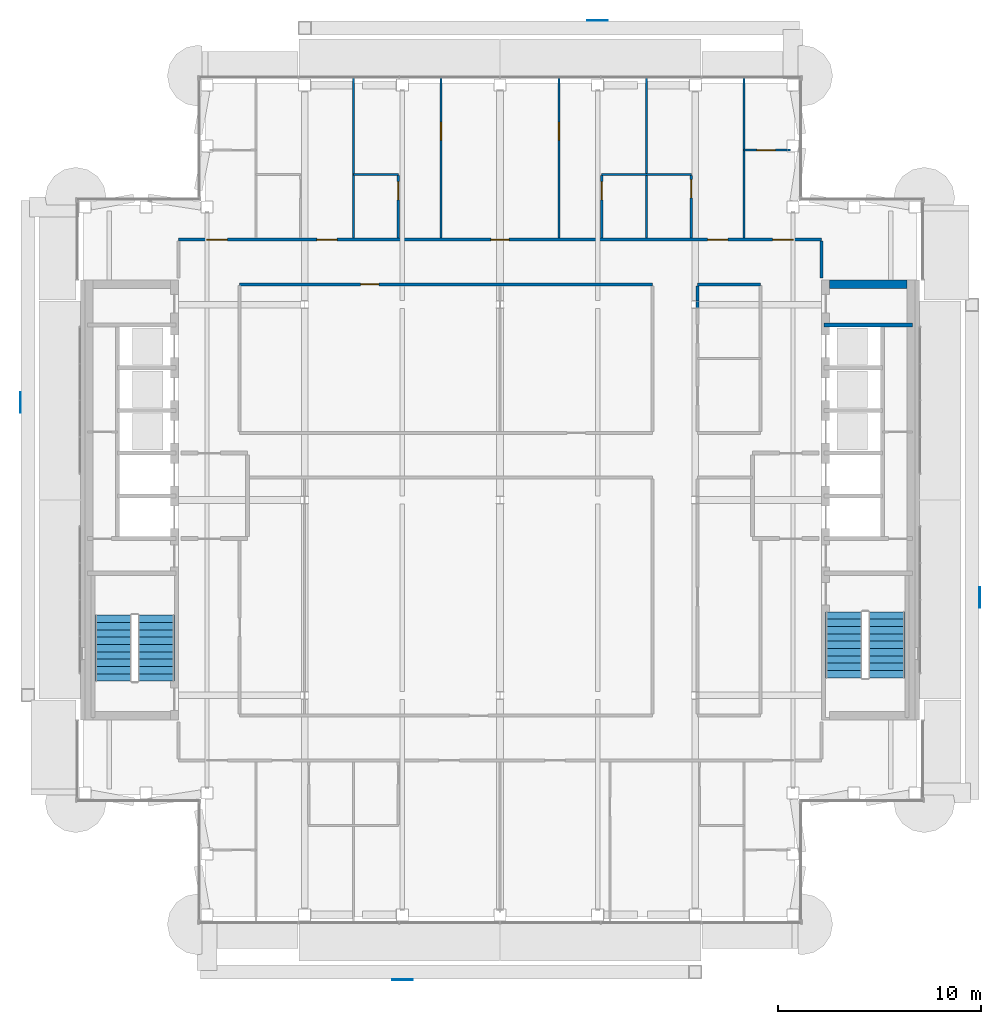
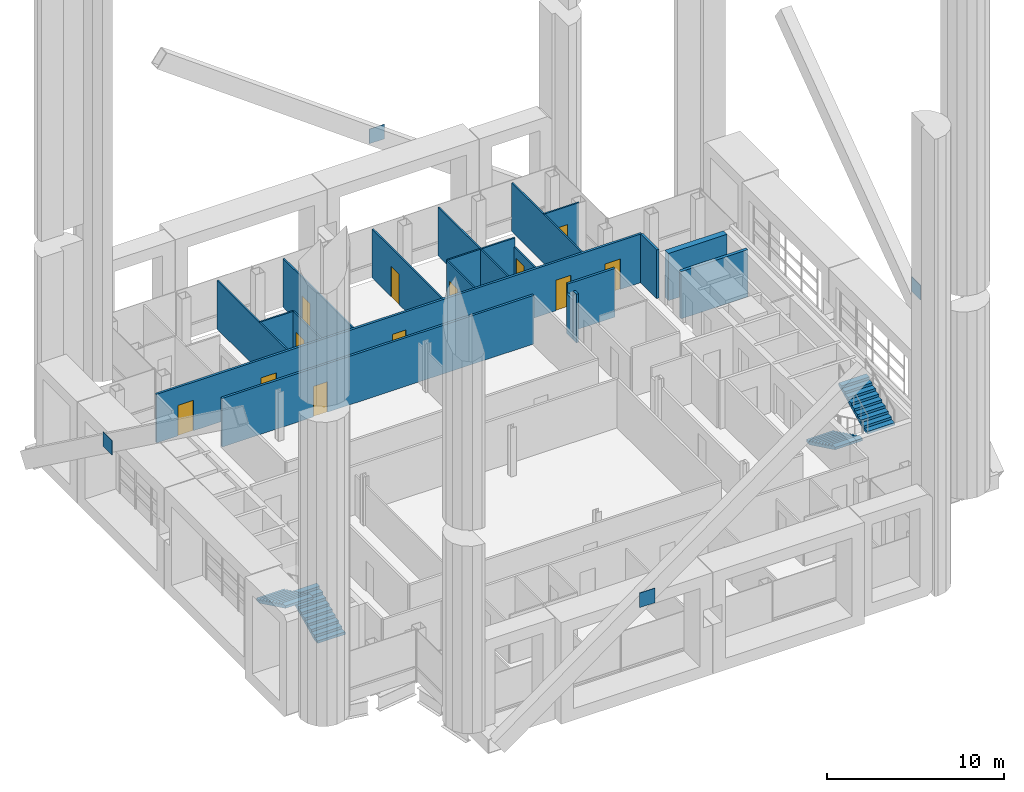
# One storey, part 16 of 29: 20 walls, 12 doors, 4 discrete accessories, 4 stair flights, 12 openings, 2 elements without a shape of their own.
"""IFC4 building model written with IfcOpenShell, lengths in metres."""

from ifc_helpers import new_model, si_unit, direction, frame, frame_2d, origin, origin_2d, place, context, subcontext, project, spatial, polyline, rectangle, outline, extrude, material, layer, layer_set, type_object, element, fill, aggregate, save


model = new_model("IFC4")

# Units and contexts
model_context = context("Model", 3, precision=1e-05, world=origin(), true_north=direction((0.0, 1.0)))
body_context = subcontext(model_context, "Body", "Model", "MODEL_VIEW")
ifc_project = project(units=[si_unit("LENGTHUNIT", "METRE"), si_unit("AREAUNIT", "SQUARE_METRE"), si_unit("VOLUMEUNIT", "CUBIC_METRE"), si_unit("PLANEANGLEUNIT", "RADIAN"), si_unit("MASSUNIT", "GRAM", prefix="KILO")], contexts=[model_context])

# Site, building, storey
site_placement = place(None, origin())
site = spatial("IfcSite", under=ifc_project, at=site_placement, CompositionType="ELEMENT")
building_placement = place(site_placement, origin())
building = spatial("IfcBuilding", under=site, at=building_placement, Name="Cobrizo Arcos Hotel Tower", CompositionType="ELEMENT")
storey_placement = place(building_placement, frame((0.0, 0.0, 241.0)))
storey = spatial("IfcBuildingStorey", under=building, at=storey_placement, Name="L63", CompositionType="ELEMENT", Elevation=241.0)

# Wall, opening, door
ifc_material_1 = material(Name="Gypsum board partition")
ifc_layer_1 = layer(ifc_material_1, 0.14990234375)
ifc_layer_set_1 = layer_set([ifc_layer_1], Name="Corridor wall EI 60 150")
wall_type_1 = type_object("IfcWallType", Name="Corridor wall EI 60 150", PredefinedType="PARTITIONING", material=ifc_layer_set_1)
wall_1_placement = place(storey_placement, frame((-12.800048828125, 10.60009765625, 0.0), z_axis=(0.0, 0.0, 1.0), x_axis=(1.0, 0.0, 0.0)))
wall_1 = element("IfcWall", 1, at=wall_1_placement, inside=storey, type_object=wall_type_1, Name="Partition 033", PredefinedType="PARTITIONING", context=body_context, shape_type="SweptSolid", body=[
    extrude(rectangle(XDim=20.300048828125, YDim=0.14990234375, at=frame_2d((10.14990234375, 0.0))), origin(), (0.0, 0.0, 1.0), 3.35009765625),
])
opening_1_placement = place(wall_1_placement, frame((5.949951171875, 0.0, 0.0)))
opening_1 = element("IfcOpeningElement", 2, at=opening_1_placement, cuts=wall_1, Name="Opening RD-14", PredefinedType="OPENING", context=body_context, shape_type="SweptSolid", body=[
    extrude(rectangle(XDim=0.89990234375, YDim=2.10009765625, at=frame_2d((0.449951171875, 1.050048828125))), frame((0.0, 0.0869140625, 0.0), z_axis=(0.0, -1.0, 0.0), x_axis=(1.0, 0.0, 0.0)), (0.0, 0.0, 1.0), 0.173828125),
])
ifc_material_2 = material(Name="Timber door leaf", Category="wood")
door_type_1 = type_object("IfcDoorType", Name="Room door FD30 900x2100", OperationType="SINGLE_SWING_LEFT", PredefinedType="DOOR", material=ifc_material_2)
door_1_placement = place(opening_1_placement, origin())
door_1 = element("IfcDoor", 3, at=door_1_placement, inside=storey, type_object=door_type_1, Name="Door RD-14", OperationType="SINGLE_SWING_LEFT", OverallHeight=2.10009765625, OverallWidth=0.89990234375, PredefinedType="DOOR", context=body_context, shape_type="SweptSolid", body=[
    extrude(rectangle(XDim=0.89990234375, YDim=2.10009765625, at=frame_2d((0.449951171875, 1.050048828125))), frame((0.0, 0.02490234375, 0.0), z_axis=(0.0, -1.0, 0.0), x_axis=(1.0, 0.0, 0.0)), (0.0, 0.0, 1.0), 0.050048828125),
])
fill(opening_1, door_1)

# Wall
wall_2_placement = place(storey_placement, frame((9.699951171875, 10.60009765625, 0.0), z_axis=(0.0, 0.0, 1.0), x_axis=(1.0, 0.0, 0.0)))
element("IfcWall", 4, at=wall_2_placement, inside=storey, type_object=wall_type_1, Name="Partition 034", PredefinedType="PARTITIONING", context=body_context, shape_type="SweptSolid", body=[
    extrude(rectangle(XDim=3.10009765625, YDim=0.14990234375, at=frame_2d((1.550048828125, 0.0))), origin(), (0.0, 0.0, 1.0), 3.35009765625),
])

# Wall, openings, doors
wall_3_placement = place(storey_placement, frame((-15.800048828125, 12.800048828125, 0.0), z_axis=(0.0, 0.0, 1.0), x_axis=(1.0, 0.0, 0.0)))
wall_3 = element("IfcWall", 5, at=wall_3_placement, inside=storey, type_object=wall_type_1, Name="Partition 035", PredefinedType="PARTITIONING", context=body_context, shape_type="SweptSolid", body=[
    extrude(rectangle(XDim=31.60009765625, YDim=0.14990234375, at=frame_2d((15.800048828125, 0.0))), origin(), (0.0, 0.0, 1.0), 3.35009765625),
])
opening_2_placement = place(wall_3_placement, frame((6.800048828125, 0.0, 0.0)))
opening_2 = element("IfcOpeningElement", 6, at=opening_2_placement, cuts=wall_3, Name="Opening GD-01", PredefinedType="OPENING", context=body_context, shape_type="SweptSolid", body=[
    extrude(rectangle(XDim=1.0, YDim=2.10009765625, at=frame_2d((0.5, 1.050048828125))), frame((0.0, 0.0869140625, 0.0), z_axis=(0.0, -1.0, 0.0), x_axis=(1.0, 0.0, 0.0)), (0.0, 0.0, 1.0), 0.173828125),
])
opening_3_placement = place(wall_3_placement, frame((15.35009765625, 0.0, 0.0)))
opening_3 = element("IfcOpeningElement", 7, at=opening_3_placement, cuts=wall_3, Name="Opening RD-07", PredefinedType="OPENING", context=body_context, shape_type="SweptSolid", body=[
    extrude(rectangle(XDim=0.89990234375, YDim=2.10009765625, at=frame_2d((0.449951171875, 1.050048828125))), frame((0.0, 0.0869140625, 0.0), z_axis=(0.0, -1.0, 0.0), x_axis=(1.0, 0.0, 0.0)), (0.0, 0.0, 1.0), 0.173828125),
])
opening_4_placement = place(wall_3_placement, frame((26.0, 0.0, 0.0)))
opening_4 = element("IfcOpeningElement", 8, at=opening_4_placement, cuts=wall_3, Name="Opening GD-02", PredefinedType="OPENING", context=body_context, shape_type="SweptSolid", body=[
    extrude(rectangle(XDim=1.0, YDim=2.10009765625, at=frame_2d((0.5, 1.050048828125))), frame((0.0, 0.0869140625, 0.0), z_axis=(0.0, -1.0, 0.0), x_axis=(1.0, 0.0, 0.0)), (0.0, 0.0, 1.0), 0.173828125),
])
opening_5_placement = place(wall_3_placement, frame((1.39990234375, 0.0, 0.0)))
opening_5 = element("IfcOpeningElement", 9, at=opening_5_placement, cuts=wall_3, Name="Opening GD-07", PredefinedType="OPENING", context=body_context, shape_type="SweptSolid", body=[
    extrude(rectangle(XDim=1.0, YDim=2.10009765625, at=frame_2d((0.5, 1.050048828125))), frame((0.0, 0.0869140625, 0.0), z_axis=(0.0, -1.0, 0.0), x_axis=(1.0, 0.0, 0.0)), (0.0, 0.0, 1.0), 0.173828125),
])
opening_6_placement = place(wall_3_placement, frame((29.199951171875, 0.0, 0.0)))
opening_6 = element("IfcOpeningElement", 10, at=opening_6_placement, cuts=wall_3, Name="Opening GD-09", PredefinedType="OPENING", context=body_context, shape_type="SweptSolid", body=[
    extrude(rectangle(XDim=1.0, YDim=2.10009765625, at=frame_2d((0.5, 1.050048828125))), frame((0.0, 0.0869140625, 0.0), z_axis=(0.0, -1.0, 0.0), x_axis=(1.0, 0.0, 0.0)), (0.0, 0.0, 1.0), 0.173828125),
])
door_type_2 = type_object("IfcDoorType", Name="Guest room door FD30S 1000x2100", OperationType="SINGLE_SWING_LEFT", PredefinedType="DOOR", material=ifc_material_2)
door_2_placement = place(opening_2_placement, origin())
door_2 = element("IfcDoor", 11, at=door_2_placement, inside=storey, type_object=door_type_2, Name="Door GD-01", OperationType="SINGLE_SWING_LEFT", OverallHeight=2.10009765625, OverallWidth=1.0, PredefinedType="DOOR", context=body_context, shape_type="SweptSolid", body=[
    extrude(rectangle(XDim=1.0, YDim=2.10009765625, at=frame_2d((0.5, 1.050048828125))), frame((0.0, 0.02490234375, 0.0), z_axis=(0.0, -1.0, 0.0), x_axis=(1.0, 0.0, 0.0)), (0.0, 0.0, 1.0), 0.050048828125),
])
fill(opening_2, door_2)
door_3_placement = place(opening_4_placement, origin())
door_3 = element("IfcDoor", 12, at=door_3_placement, inside=storey, type_object=door_type_2, Name="Door GD-02", OperationType="SINGLE_SWING_LEFT", OverallHeight=2.10009765625, OverallWidth=1.0, PredefinedType="DOOR", context=body_context, shape_type="SweptSolid", body=[
    extrude(rectangle(XDim=1.0, YDim=2.10009765625, at=frame_2d((0.5, 1.050048828125))), frame((0.0, 0.02490234375, 0.0), z_axis=(0.0, -1.0, 0.0), x_axis=(1.0, 0.0, 0.0)), (0.0, 0.0, 1.0), 0.050048828125),
])
fill(opening_4, door_3)
door_4_placement = place(opening_5_placement, origin())
door_4 = element("IfcDoor", 13, at=door_4_placement, inside=storey, type_object=door_type_2, Name="Door GD-07", OperationType="SINGLE_SWING_RIGHT", OverallHeight=2.10009765625, OverallWidth=1.0, PredefinedType="DOOR", context=body_context, shape_type="SweptSolid", body=[
    extrude(rectangle(XDim=1.0, YDim=2.10009765625, at=frame_2d((0.5, 1.050048828125))), frame((0.0, 0.02490234375, 0.0), z_axis=(0.0, -1.0, 0.0), x_axis=(1.0, 0.0, 0.0)), (0.0, 0.0, 1.0), 0.050048828125),
])
fill(opening_5, door_4)
door_5_placement = place(opening_6_placement, origin())
door_5 = element("IfcDoor", 14, at=door_5_placement, inside=storey, type_object=door_type_2, Name="Door GD-09", OperationType="SINGLE_SWING_LEFT", OverallHeight=2.10009765625, OverallWidth=1.0, PredefinedType="DOOR", context=body_context, shape_type="SweptSolid", body=[
    extrude(rectangle(XDim=1.0, YDim=2.10009765625, at=frame_2d((0.5, 1.050048828125))), frame((0.0, 0.02490234375, 0.0), z_axis=(0.0, -1.0, 0.0), x_axis=(1.0, 0.0, 0.0)), (0.0, 0.0, 1.0), 0.050048828125),
])
fill(opening_6, door_5)
door_6_placement = place(opening_3_placement, origin())
door_6 = element("IfcDoor", 15, at=door_6_placement, inside=storey, type_object=door_type_1, Name="Door RD-07", OperationType="SINGLE_SWING_RIGHT", OverallHeight=2.10009765625, OverallWidth=0.89990234375, PredefinedType="DOOR", context=body_context, shape_type="SweptSolid", body=[
    extrude(rectangle(XDim=0.89990234375, YDim=2.10009765625, at=frame_2d((0.449951171875, 1.050048828125))), frame((0.0, 0.02490234375, 0.0), z_axis=(0.0, -1.0, 0.0), x_axis=(1.0, 0.0, 0.0)), (0.0, 0.0, 1.0), 0.050048828125),
])
fill(opening_3, door_6)

# Walls
wall_4_placement = place(storey_placement, frame((9.699951171875, 9.416015625, 0.0), z_axis=(0.0, 0.0, 1.0), x_axis=(0.0, 1.0, 0.0)))
element("IfcWall", 16, at=wall_4_placement, inside=storey, type_object=wall_type_1, Name="Partition 081", PredefinedType="PARTITIONING", context=body_context, shape_type="SweptSolid", body=[
    extrude(rectangle(XDim=0.367919921875, YDim=0.14990234375, at=frame_2d((0.18408203125, 0.0))), origin(), (0.0, 0.0, 1.0), 3.35009765625),
])
wall_5_placement = place(storey_placement, frame((9.699951171875, 9.783935546875, 0.0), z_axis=(0.0, 0.0, 1.0), x_axis=(0.0, 1.0, 0.0)))
element("IfcWall", 17, at=wall_5_placement, inside=storey, type_object=wall_type_1, Name="Partition 082", PredefinedType="PARTITIONING", context=body_context, shape_type="SweptSolid", body=[
    extrude(rectangle(XDim=0.740966796875, YDim=0.14990234375, at=frame_2d((0.37060546875, 0.0))), origin(), (0.0, 0.0, 1.0), 2.72802734375),
])
wall_6_placement = place(storey_placement, frame((15.800048828125, 10.919921875, 0.0), z_axis=(0.0, 0.0, 1.0), x_axis=(0.0, 1.0, 0.0)))
element("IfcWall", 18, at=wall_6_placement, inside=storey, type_object=wall_type_1, Name="Partition 090", PredefinedType="PARTITIONING", context=body_context, shape_type="SweptSolid", body=[
    extrude(rectangle(XDim=1.80517578125, YDim=0.14990234375, at=frame_2d((0.902587890625, 0.0))), origin(), (0.0, 0.0, 1.0), 3.35009765625),
])
ifc_layer_2 = layer(ifc_material_1, 0.10009765625)
ifc_layer_set_2 = layer_set([ifc_layer_2], Name="Partition EI 30 100")
wall_type_2 = type_object("IfcWallType", Name="Partition EI 30 100", PredefinedType="PARTITIONING", material=ifc_layer_set_2)
wall_7_placement = place(storey_placement, frame((-7.199951171875, 16.0, 0.0), z_axis=(0.0, 0.0, 1.0), x_axis=(1.0, 0.0, 0.0)))
element("IfcWall", 19, at=wall_7_placement, inside=storey, type_object=wall_type_2, Name="Partition 037", PredefinedType="PARTITIONING", context=body_context, shape_type="SweptSolid", body=[
    extrude(rectangle(XDim=2.199951171875, YDim=0.10009765625, at=frame_2d((1.10009765625, 0.0))), origin(), (0.0, 0.0, 1.0), 3.35009765625),
])
wall_8_placement = place(storey_placement, frame((5.0, 16.0, 0.0), z_axis=(0.0, 0.0, 1.0), x_axis=(1.0, 0.0, 0.0)))
element("IfcWall", 20, at=wall_8_placement, inside=storey, type_object=wall_type_2, Name="Partition 038", PredefinedType="PARTITIONING", context=body_context, shape_type="SweptSolid", body=[
    extrude(rectangle(XDim=4.39990234375, YDim=0.10009765625, at=frame_2d((2.199951171875, 0.0))), origin(), (0.0, 0.0, 1.0), 3.35009765625),
])

# Wall, opening, door
wall_9_placement = place(storey_placement, frame((12.0, 17.199951171875, 0.0), z_axis=(0.0, 0.0, 1.0), x_axis=(1.0, 0.0, 0.0)))
wall_9 = element("IfcWall", 21, at=wall_9_placement, inside=storey, type_object=wall_type_2, Name="Partition 040", PredefinedType="PARTITIONING", context=body_context, shape_type="SweptSolid", body=[
    extrude(rectangle(XDim=2.280029296875, YDim=0.10009765625, at=frame_2d((1.14013671875, 0.0))), origin(), (0.0, 0.0, 1.0), 3.35009765625),
])
opening_7_placement = place(wall_9_placement, frame((0.6298828125, 0.0, 0.0)))
opening_7 = element("IfcOpeningElement", 22, at=opening_7_placement, cuts=wall_9, Name="Opening ED-11", PredefinedType="OPENING", context=body_context, shape_type="SweptSolid", body=[
    extrude(rectangle(XDim=0.89990234375, YDim=2.10009765625, at=frame_2d((0.449951171875, 1.050048828125))), frame((0.0, 0.06201171875, 0.0), z_axis=(0.0, -1.0, 0.0), x_axis=(1.0, 0.0, 0.0)), (0.0, 0.0, 1.0), 0.1240234375),
])
door_type_3 = type_object("IfcDoorType", Name="En-suite door 900x2100", OperationType="SINGLE_SWING_LEFT", PredefinedType="DOOR", material=ifc_material_2)
door_7_placement = place(opening_7_placement, origin())
door_7 = element("IfcDoor", 23, at=door_7_placement, inside=storey, type_object=door_type_3, Name="Door ED-11", OperationType="SINGLE_SWING_LEFT", OverallHeight=2.10009765625, OverallWidth=0.89990234375, PredefinedType="DOOR", context=body_context, shape_type="SweptSolid", body=[
    extrude(rectangle(XDim=0.89990234375, YDim=2.10009765625, at=frame_2d((0.449951171875, 1.050048828125))), frame((0.0, 0.02490234375, 0.0), z_axis=(0.0, -1.0, 0.0), x_axis=(1.0, 0.0, 0.0)), (0.0, 0.0, 1.0), 0.050048828125),
])
fill(opening_7, door_7)

# Wall
wall_10_placement = place(storey_placement, frame((-7.199951171875, 12.875, 0.0), z_axis=(0.0, 0.0, 1.0), x_axis=(0.0, 1.0, 0.0)))
element("IfcWall", 24, at=wall_10_placement, inside=storey, type_object=wall_type_2, Name="Partition 059", PredefinedType="PARTITIONING", context=body_context, shape_type="SweptSolid", body=[
    extrude(rectangle(XDim=7.85498046875, YDim=0.10009765625, at=frame_2d((3.927490234375, 0.0))), origin(), (0.0, 0.0, 1.0), 3.35009765625),
])

# Wall, opening, door
wall_11_placement = place(storey_placement, frame((-5.0, 12.875, 0.0), z_axis=(0.0, 0.0, 1.0), x_axis=(0.0, 1.0, 0.0)))
wall_11 = element("IfcWall", 25, at=wall_11_placement, inside=storey, type_object=wall_type_2, Name="Partition 061", PredefinedType="PARTITIONING", context=body_context, shape_type="SweptSolid", body=[
    extrude(rectangle(XDim=3.074951171875, YDim=0.10009765625, at=frame_2d((1.53759765625, 0.0))), origin(), (0.0, 0.0, 1.0), 3.35009765625),
])
opening_8_placement = place(wall_11_placement, frame((1.875, 0.0, 0.0)))
opening_8 = element("IfcOpeningElement", 26, at=opening_8_placement, cuts=wall_11, Name="Opening ED-02", PredefinedType="OPENING", context=body_context, shape_type="SweptSolid", body=[
    extrude(rectangle(XDim=0.89990234375, YDim=2.10009765625, at=frame_2d((0.449951171875, 1.050048828125))), frame((0.0, 0.06201171875, 0.0), z_axis=(0.0, -1.0, 0.0), x_axis=(1.0, 0.0, 0.0)), (0.0, 0.0, 1.0), 0.1240234375),
])
door_8_placement = place(opening_8_placement, origin())
door_8 = element("IfcDoor", 27, at=door_8_placement, inside=storey, type_object=door_type_3, Name="Door ED-02", OperationType="SINGLE_SWING_RIGHT", OverallHeight=2.10009765625, OverallWidth=0.89990234375, PredefinedType="DOOR", context=body_context, shape_type="SweptSolid", body=[
    extrude(rectangle(XDim=0.89990234375, YDim=2.10009765625, at=frame_2d((0.449951171875, 1.050048828125))), frame((0.0, 0.02490234375, 0.0), z_axis=(0.0, -1.0, 0.0), x_axis=(1.0, 0.0, 0.0)), (0.0, 0.0, 1.0), 0.050048828125),
])
fill(opening_8, door_8)

wall_12_placement = place(storey_placement, frame((-2.89990234375, 12.875, 0.0), z_axis=(0.0, 0.0, 1.0), x_axis=(0.0, 1.0, 0.0)))
wall_12 = element("IfcWall", 28, at=wall_12_placement, inside=storey, type_object=wall_type_2, Name="Partition 062", PredefinedType="PARTITIONING", context=body_context, shape_type="SweptSolid", body=[
    extrude(rectangle(XDim=7.85498046875, YDim=0.10009765625, at=frame_2d((3.927490234375, 0.0))), origin(), (0.0, 0.0, 1.0), 3.35009765625),
])
opening_9_placement = place(wall_12_placement, frame((4.794921875, 0.0, 0.0)))
opening_9 = element("IfcOpeningElement", 29, at=opening_9_placement, cuts=wall_12, Name="Opening RD-08", PredefinedType="OPENING", context=body_context, shape_type="SweptSolid", body=[
    extrude(rectangle(XDim=0.89990234375, YDim=2.10009765625, at=frame_2d((0.449951171875, 1.050048828125))), frame((0.0, 0.06201171875, 0.0), z_axis=(0.0, -1.0, 0.0), x_axis=(1.0, 0.0, 0.0)), (0.0, 0.0, 1.0), 0.1240234375),
])
door_9_placement = place(opening_9_placement, origin())
door_9 = element("IfcDoor", 30, at=door_9_placement, inside=storey, type_object=door_type_1, Name="Door RD-08", OperationType="SINGLE_SWING_LEFT", OverallHeight=2.10009765625, OverallWidth=0.89990234375, PredefinedType="DOOR", context=body_context, shape_type="SweptSolid", body=[
    extrude(rectangle(XDim=0.89990234375, YDim=2.10009765625, at=frame_2d((0.449951171875, 1.050048828125))), frame((0.0, 0.02490234375, 0.0), z_axis=(0.0, -1.0, 0.0), x_axis=(1.0, 0.0, 0.0)), (0.0, 0.0, 1.0), 0.050048828125),
])
fill(opening_9, door_9)

wall_13_placement = place(storey_placement, frame((2.89990234375, 12.875, 0.0), z_axis=(0.0, 0.0, 1.0), x_axis=(0.0, 1.0, 0.0)))
wall_13 = element("IfcWall", 31, at=wall_13_placement, inside=storey, type_object=wall_type_2, Name="Partition 067", PredefinedType="PARTITIONING", context=body_context, shape_type="SweptSolid", body=[
    extrude(rectangle(XDim=7.85498046875, YDim=0.10009765625, at=frame_2d((3.927490234375, 0.0))), origin(), (0.0, 0.0, 1.0), 3.35009765625),
])
opening_10_placement = place(wall_13_placement, frame((4.794921875, 0.0, 0.0)))
opening_10 = element("IfcOpeningElement", 32, at=opening_10_placement, cuts=wall_13, Name="Opening RD-09", PredefinedType="OPENING", context=body_context, shape_type="SweptSolid", body=[
    extrude(rectangle(XDim=0.89990234375, YDim=2.10009765625, at=frame_2d((0.449951171875, 1.050048828125))), frame((0.0, 0.06201171875, 0.0), z_axis=(0.0, -1.0, 0.0), x_axis=(1.0, 0.0, 0.0)), (0.0, 0.0, 1.0), 0.1240234375),
])
door_10_placement = place(opening_10_placement, origin())
door_10 = element("IfcDoor", 33, at=door_10_placement, inside=storey, type_object=door_type_1, Name="Door RD-09", OperationType="SINGLE_SWING_LEFT", OverallHeight=2.10009765625, OverallWidth=0.89990234375, PredefinedType="DOOR", context=body_context, shape_type="SweptSolid", body=[
    extrude(rectangle(XDim=0.89990234375, YDim=2.10009765625, at=frame_2d((0.449951171875, 1.050048828125))), frame((0.0, 0.02490234375, 0.0), z_axis=(0.0, -1.0, 0.0), x_axis=(1.0, 0.0, 0.0)), (0.0, 0.0, 1.0), 0.050048828125),
])
fill(opening_10, door_10)

wall_14_placement = place(storey_placement, frame((5.0, 12.875, 0.0), z_axis=(0.0, 0.0, 1.0), x_axis=(0.0, 1.0, 0.0)))
wall_14 = element("IfcWall", 34, at=wall_14_placement, inside=storey, type_object=wall_type_2, Name="Partition 068", PredefinedType="PARTITIONING", context=body_context, shape_type="SweptSolid", body=[
    extrude(rectangle(XDim=3.074951171875, YDim=0.10009765625, at=frame_2d((1.53759765625, 0.0))), origin(), (0.0, 0.0, 1.0), 3.35009765625),
])
opening_11_placement = place(wall_14_placement, frame((1.875, 0.0, 0.0)))
opening_11 = element("IfcOpeningElement", 35, at=opening_11_placement, cuts=wall_14, Name="Opening ED-03", PredefinedType="OPENING", context=body_context, shape_type="SweptSolid", body=[
    extrude(rectangle(XDim=0.89990234375, YDim=2.10009765625, at=frame_2d((0.449951171875, 1.050048828125))), frame((0.0, 0.06201171875, 0.0), z_axis=(0.0, -1.0, 0.0), x_axis=(1.0, 0.0, 0.0)), (0.0, 0.0, 1.0), 0.1240234375),
])
door_11_placement = place(opening_11_placement, origin())
door_11 = element("IfcDoor", 36, at=door_11_placement, inside=storey, type_object=door_type_3, Name="Door ED-03", OperationType="SINGLE_SWING_RIGHT", OverallHeight=2.10009765625, OverallWidth=0.89990234375, PredefinedType="DOOR", context=body_context, shape_type="SweptSolid", body=[
    extrude(rectangle(XDim=0.89990234375, YDim=2.10009765625, at=frame_2d((0.449951171875, 1.050048828125))), frame((0.0, 0.02490234375, 0.0), z_axis=(0.0, -1.0, 0.0), x_axis=(1.0, 0.0, 0.0)), (0.0, 0.0, 1.0), 0.050048828125),
])
fill(opening_11, door_11)

# Walls
wall_15_placement = place(storey_placement, frame((7.199951171875, 12.875, 0.0), z_axis=(0.0, 0.0, 1.0), x_axis=(0.0, 1.0, 0.0)))
element("IfcWall", 37, at=wall_15_placement, inside=storey, type_object=wall_type_2, Name="Partition 070", PredefinedType="PARTITIONING", context=body_context, shape_type="SweptSolid", body=[
    extrude(rectangle(XDim=3.074951171875, YDim=0.10009765625, at=frame_2d((1.53759765625, 0.0))), origin(), (0.0, 0.0, 1.0), 3.35009765625),
])
wall_16_placement = place(storey_placement, frame((7.199951171875, 16.050048828125, 0.0), z_axis=(0.0, 0.0, 1.0), x_axis=(0.0, 1.0, 0.0)))
element("IfcWall", 38, at=wall_16_placement, inside=storey, type_object=wall_type_2, Name="Partition 071", PredefinedType="PARTITIONING", context=body_context, shape_type="SweptSolid", body=[
    extrude(rectangle(XDim=4.679931640625, YDim=0.10009765625, at=frame_2d((2.33984375, 0.0))), origin(), (0.0, 0.0, 1.0), 3.35009765625),
])

# Wall, opening, door
wall_17_placement = place(storey_placement, frame((9.39990234375, 12.875, 0.0), z_axis=(0.0, 0.0, 1.0), x_axis=(0.0, 1.0, 0.0)))
wall_17 = element("IfcWall", 39, at=wall_17_placement, inside=storey, type_object=wall_type_2, Name="Partition 074", PredefinedType="PARTITIONING", context=body_context, shape_type="SweptSolid", body=[
    extrude(rectangle(XDim=3.074951171875, YDim=0.10009765625, at=frame_2d((1.53759765625, 0.0))), origin(), (0.0, 0.0, 1.0), 2.72802734375),
])
opening_12_placement = place(wall_17_placement, frame((1.970947265625, 0.0, 0.0)))
opening_12 = element("IfcOpeningElement", 40, at=opening_12_placement, cuts=wall_17, Name="Opening ED-04", PredefinedType="OPENING", context=body_context, shape_type="SweptSolid", body=[
    extrude(rectangle(XDim=0.89990234375, YDim=2.10009765625, at=frame_2d((0.449951171875, 1.050048828125))), frame((0.0, 0.06201171875, 0.0), z_axis=(0.0, -1.0, 0.0), x_axis=(1.0, 0.0, 0.0)), (0.0, 0.0, 1.0), 0.1240234375),
])
door_12_placement = place(opening_12_placement, origin())
door_12 = element("IfcDoor", 41, at=door_12_placement, inside=storey, type_object=door_type_3, Name="Door ED-04", OperationType="SINGLE_SWING_LEFT", OverallHeight=2.10009765625, OverallWidth=0.89990234375, PredefinedType="DOOR", context=body_context, shape_type="SweptSolid", body=[
    extrude(rectangle(XDim=0.89990234375, YDim=2.10009765625, at=frame_2d((0.449951171875, 1.050048828125))), frame((0.0, 0.02490234375, 0.0), z_axis=(0.0, -1.0, 0.0), x_axis=(1.0, 0.0, 0.0)), (0.0, 0.0, 1.0), 0.050048828125),
])
fill(opening_12, door_12)

# Walls
wall_18_placement = place(storey_placement, frame((12.0, 12.875, 0.0), z_axis=(0.0, 0.0, 1.0), x_axis=(0.0, 1.0, 0.0)))
element("IfcWall", 42, at=wall_18_placement, inside=storey, type_object=wall_type_2, Name="Partition 085", PredefinedType="PARTITIONING", context=body_context, shape_type="SweptSolid", body=[
    extrude(rectangle(XDim=7.85498046875, YDim=0.10009765625, at=frame_2d((3.927490234375, 0.0))), origin(), (0.0, 0.0, 1.0), 3.35009765625),
])
ifc_material_3 = material(Name="Concrete f'c 40 MPa", Category="concrete")
ifc_layer_3 = layer(ifc_material_3, 0.39990234375)
ifc_layer_set_3 = layer_set([ifc_layer_3], Name="RC core wall 400 f'c 40")
wall_type_3 = type_object("IfcWallType", Name="RC core wall 400 f'c 40", PredefinedType="SHEAR", material=ifc_layer_set_3)
wall_19_placement = place(storey_placement, frame((16.199951171875, 10.60009765625, 0.0), z_axis=(0.0, 0.0, 1.0), x_axis=(1.0, 0.0, 0.0)))
element("IfcWall", 43, at=wall_19_placement, inside=storey, type_object=wall_type_3, Name="Core wall CW4, east core, north end, L63", PredefinedType="SHEAR", context=body_context, shape_type="SweptSolid", body=[
    extrude(rectangle(XDim=3.800048828125, YDim=0.39990234375, at=frame_2d((1.89990234375, 0.0))), origin(), (0.0, 0.0, 1.0), 3.25),
])
ifc_layer_4 = layer(ifc_material_1, 0.199951171875)
ifc_layer_set_4 = layer_set([ifc_layer_4], Name="Shaft wall EI 120 200")
wall_type_4 = type_object("IfcWallType", Name="Shaft wall EI 120 200", PredefinedType="PARTITIONING", material=ifc_layer_set_4)
wall_20_placement = place(storey_placement, frame((15.919921875, 8.60009765625, 0.0), z_axis=(0.0, 0.0, 1.0), x_axis=(1.0, 0.0, 0.0)))
element("IfcWall", 44, at=wall_20_placement, inside=storey, type_object=wall_type_4, Name="Partition 032", PredefinedType="PARTITIONING", context=body_context, shape_type="SweptSolid", body=[
    extrude(rectangle(XDim=4.360107421875, YDim=0.199951171875, at=frame_2d((2.18017578125, 0.0))), origin(), (0.0, 0.0, 1.0), 3.25),
])

# Stair, stair flights
stair_type = type_object("IfcStairType", Name="Exit stair", PredefinedType="HALF_TURN_STAIR", material=ifc_material_3)
stair_1_placement = place(storey_placement, origin())
stair_1 = element("IfcStair", 45, at=stair_1_placement, inside=storey, type_object=stair_type, Name="L63 Exit stair ST-W", PredefinedType="HALF_TURN_STAIR")
stair_flight_type = type_object("IfcStairFlightType", Name="Exit stair flight", PredefinedType="STRAIGHT", material=ifc_material_3)
stair_flight_1_placement = place(storey_placement, frame((-16.89990234375, -8.89990234375, 0.0), z_axis=(0.0, 0.0, 1.0), x_axis=(0.0, 1.0, 0.0)))
stair_flight_1 = element("IfcStairFlight", 46, at=stair_flight_1_placement, type_object=stair_flight_type, Name="ST-W flight 1", NumberOfRisers=10, NumberOfTreads=9, PredefinedType="STRAIGHT", RiserHeight=0.175, TreadLength=0.36, context=body_context, shape_type="SweptSolid", body=[
    extrude(outline(polyline([(0.0, 0.0), (0.0, 0.175048828125), (0.360107421875, 0.175048828125), (0.360107421875, 0.35009765625), (0.719970703125, 0.35009765625), (0.719970703125, 0.52490234375), (1.080078125, 0.52490234375), (1.080078125, 0.699951171875), (1.43994140625, 0.699951171875), (1.43994140625, 0.875), (1.800048828125, 0.875), (1.800048828125, 1.050048828125), (2.159912109375, 1.050048828125), (2.159912109375, 1.22509765625), (2.52001953125, 1.22509765625), (2.52001953125, 1.39990234375), (2.8798828125, 1.39990234375), (2.8798828125, 1.574951171875), (3.239990234375, 1.574951171875), (3.239990234375, 1.75), (3.239990234375, 1.408203125), (0.3427734375, 0.0), (0.0, 0.0)])), frame((0.0, 0.89990234375, 0.0), z_axis=(0.0, -1.0, 0.0), x_axis=(1.0, 0.0, 0.0)), (0.0, 0.0, 1.0), 1.800048828125),
])
stair_flight_2_placement = place(storey_placement, frame((-19.0, -5.659912109375, 1.75), z_axis=(0.0, 0.0, 1.0), x_axis=(0.0, -1.0, 0.0)))
stair_flight_2 = element("IfcStairFlight", 47, at=stair_flight_2_placement, type_object=stair_flight_type, Name="ST-W flight 2", NumberOfRisers=10, NumberOfTreads=9, PredefinedType="STRAIGHT", RiserHeight=0.175, TreadLength=0.36, context=body_context, shape_type="SweptSolid", body=[
    extrude(outline(polyline([(0.0, 0.0), (0.0, 0.175048828125), (0.360107421875, 0.175048828125), (0.360107421875, 0.35009765625), (0.719970703125, 0.35009765625), (0.719970703125, 0.52490234375), (1.080078125, 0.52490234375), (1.080078125, 0.699951171875), (1.43994140625, 0.699951171875), (1.43994140625, 0.875), (1.800048828125, 0.875), (1.800048828125, 1.050048828125), (2.159912109375, 1.050048828125), (2.159912109375, 1.22509765625), (2.52001953125, 1.22509765625), (2.52001953125, 1.39990234375), (2.8798828125, 1.39990234375), (2.8798828125, 1.574951171875), (3.239990234375, 1.574951171875), (3.239990234375, 1.75), (3.239990234375, 1.408203125), (0.3427734375, 0.0), (0.0, 0.0)])), frame((0.0, 0.89990234375, 0.0), z_axis=(0.0, -1.0, 0.0), x_axis=(1.0, 0.0, 0.0)), (0.0, 0.0, 1.0), 1.800048828125),
])
aggregate(stair_1, [stair_flight_1, stair_flight_2])

stair_2_placement = place(storey_placement, origin())
stair_2 = element("IfcStair", 48, at=stair_2_placement, inside=storey, type_object=stair_type, Name="L63 Exit stair ST-E", PredefinedType="HALF_TURN_STAIR")
stair_flight_3_placement = place(storey_placement, frame((16.89990234375, -5.5, 0.0), z_axis=(0.0, 0.0, 1.0), x_axis=(0.0, -1.0, 0.0)))
stair_flight_3 = element("IfcStairFlight", 49, at=stair_flight_3_placement, type_object=stair_flight_type, Name="ST-E flight 1", NumberOfRisers=10, NumberOfTreads=9, PredefinedType="STRAIGHT", RiserHeight=0.175, TreadLength=0.36, context=body_context, shape_type="SweptSolid", body=[
    extrude(outline(polyline([(0.0, 0.0), (0.0, 0.175048828125), (0.360107421875, 0.175048828125), (0.360107421875, 0.35009765625), (0.719970703125, 0.35009765625), (0.719970703125, 0.52490234375), (1.080078125, 0.52490234375), (1.080078125, 0.699951171875), (1.43994140625, 0.699951171875), (1.43994140625, 0.875), (1.800048828125, 0.875), (1.800048828125, 1.050048828125), (2.159912109375, 1.050048828125), (2.159912109375, 1.22509765625), (2.52001953125, 1.22509765625), (2.52001953125, 1.39990234375), (2.8798828125, 1.39990234375), (2.8798828125, 1.574951171875), (3.239990234375, 1.574951171875), (3.239990234375, 1.75), (3.239990234375, 1.408203125), (0.3427734375, 0.0), (0.0, 0.0)])), frame((0.0, 0.89990234375, 0.0), z_axis=(0.0, -1.0, 0.0), x_axis=(1.0, 0.0, 0.0)), (0.0, 0.0, 1.0), 1.800048828125),
])
stair_flight_4_placement = place(storey_placement, frame((19.0, -8.739990234375, 1.75), z_axis=(0.0, 0.0, 1.0), x_axis=(0.0, 1.0, 0.0)))
stair_flight_4 = element("IfcStairFlight", 50, at=stair_flight_4_placement, type_object=stair_flight_type, Name="ST-E flight 2", NumberOfRisers=10, NumberOfTreads=9, PredefinedType="STRAIGHT", RiserHeight=0.175, TreadLength=0.36, context=body_context, shape_type="SweptSolid", body=[
    extrude(outline(polyline([(0.0, 0.0), (0.0, 0.175048828125), (0.360107421875, 0.175048828125), (0.360107421875, 0.35009765625), (0.719970703125, 0.35009765625), (0.719970703125, 0.52490234375), (1.080078125, 0.52490234375), (1.080078125, 0.699951171875), (1.43994140625, 0.699951171875), (1.43994140625, 0.875), (1.800048828125, 0.875), (1.800048828125, 1.050048828125), (2.159912109375, 1.050048828125), (2.159912109375, 1.22509765625), (2.52001953125, 1.22509765625), (2.52001953125, 1.39990234375), (2.8798828125, 1.39990234375), (2.8798828125, 1.574951171875), (3.239990234375, 1.574951171875), (3.239990234375, 1.75), (3.239990234375, 1.408203125), (0.3427734375, 0.0), (0.0, 0.0)])), frame((0.0, 0.89990234375, 0.0), z_axis=(0.0, -1.0, 0.0), x_axis=(1.0, 0.0, 0.0)), (0.0, 0.0, 1.0), 1.800048828125),
])
aggregate(stair_2, [stair_flight_3, stair_flight_4])

# Discrete accessories
ifc_material_4 = material(Name="Steel ASTM A572 Grade 50", Category="steel")
discrete_accessory_type = type_object("IfcDiscreteAccessoryType", Name="GP-1 gusset plate 1000x1000x40", PredefinedType="BRACKET", material=ifc_material_4)
discrete_accessory_1_placement = place(storey_placement, frame((23.570068359375, -4.800048828125, 7.0), z_axis=(0.0, 0.0, 1.0), x_axis=(1.0, 0.0, 0.0)))
element("IfcDiscreteAccessory", 51, at=discrete_accessory_1_placement, inside=storey, type_object=discrete_accessory_type, Name="Gusset plate br-Z5-E-00", PredefinedType="BRACKET", context=body_context, shape_type="SweptSolid", body=[
    extrude(rectangle(XDim=0.0400390625, YDim=1.0, at=origin_2d()), origin(), (0.0, 0.0, 1.0), 1.0),
])
for number, where, z_axis, x_axis, name in (
    (52, (4.800048828125, 23.570068359375, 7.0), (0.0, 0.0, 1.0), (1.0, 0.0, 0.0), "Gusset plate br-Z5-N-00"),
    (53, (-4.800048828125, -23.570068359375, 7.0), (0.0, 0.0, 1.0), (1.0, 0.0, 0.0), "Gusset plate br-Z5-S-00"),
):
    element("IfcDiscreteAccessory", number, at=place(storey_placement, frame(where, z_axis=z_axis, x_axis=x_axis)), inside=storey, type_object=discrete_accessory_type, Name=name, PredefinedType="BRACKET", context=body_context, shape_type="SweptSolid", body=[
        extrude(rectangle(XDim=1.0, YDim=0.0400390625, at=origin_2d()), origin(), (0.0, 0.0, 1.0), 1.0),
    ])
discrete_accessory_2_placement = place(storey_placement, frame((-23.570068359375, 4.800048828125, 7.0), z_axis=(0.0, 0.0, 1.0), x_axis=(1.0, 0.0, 0.0)))
element("IfcDiscreteAccessory", 54, at=discrete_accessory_2_placement, inside=storey, type_object=discrete_accessory_type, Name="Gusset plate br-Z5-W-00", PredefinedType="BRACKET", context=body_context, shape_type="SweptSolid", body=[
    extrude(rectangle(XDim=0.0400390625, YDim=1.0, at=origin_2d()), origin(), (0.0, 0.0, 1.0), 1.0),
])

save(model, "model.ifc")
